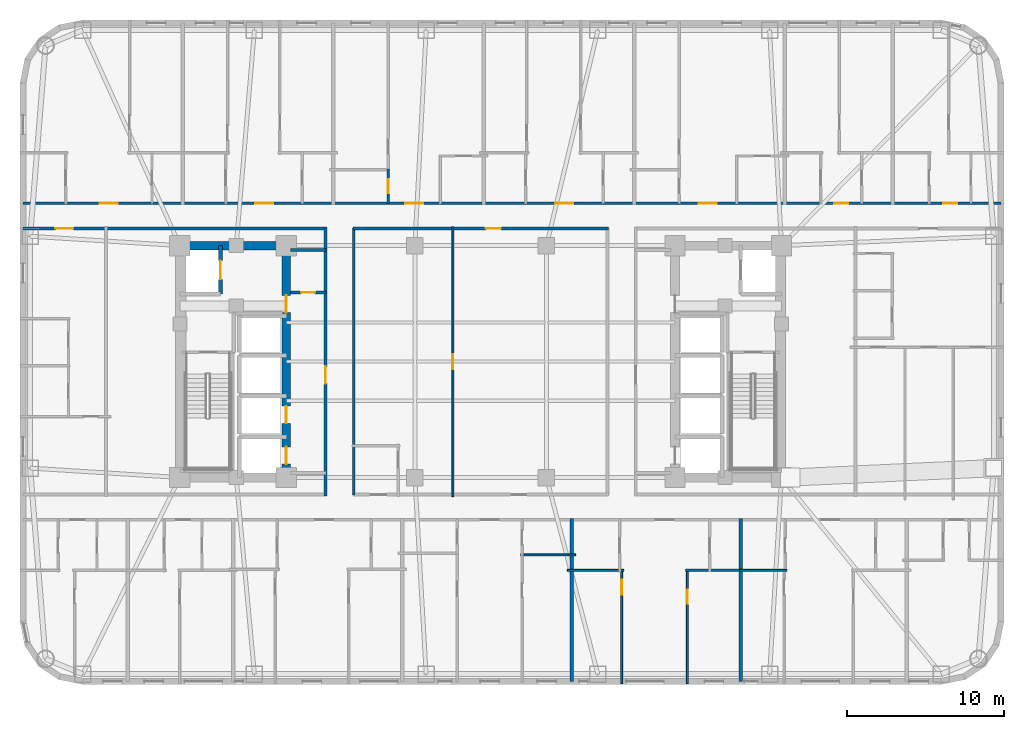
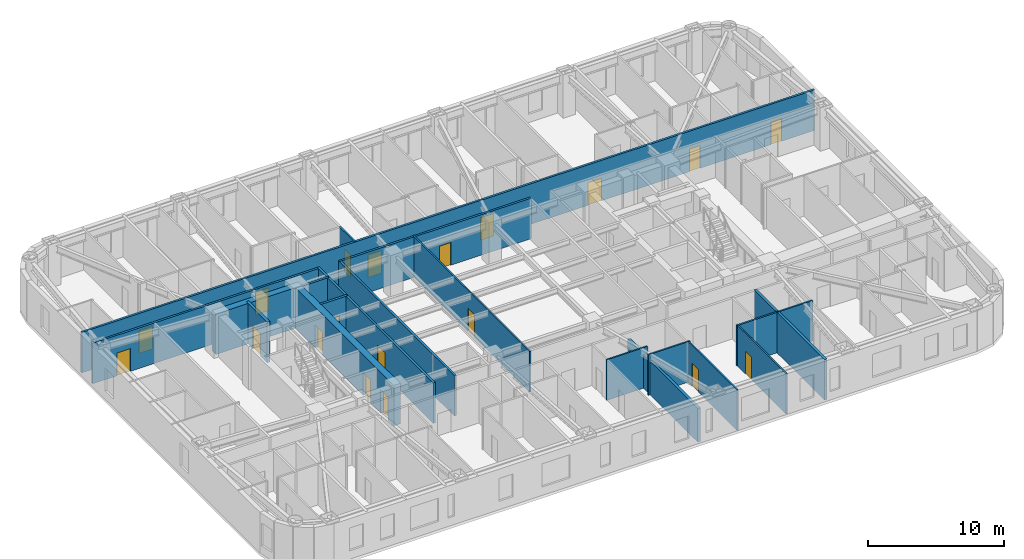
# One storey, part 5 of 11: 20 walls, 19 doors, 19 openings.
"""IFC4 building model written with IfcOpenShell, lengths in metres."""

import ifcopenshell
import ifcopenshell.guid

model = None  # the IFC model being written
_history = None  # IfcOwnerHistory: only IFC2X3 demands one
_inside = {}  # id of a spatial element -> (the spatial element, [elements in it])
_under = {}  # id of a project, library or spatial element -> (it, [spatial elements below it])
_declared = {}  # id of a project -> (the project, [libraries it declares])
_typed = {}  # id of a type object -> (the type object, [elements of that type])
_made_of = {}  # id of a material, layer set ... -> (it, [elements and type objects made of it])


def new_model(schema):
    """Start an empty IFC model of exactly this schema.

    Asked for "IFC4X3", IfcOpenShell would pick the latest addendum, in which some entities
    have other attributes; the version numbers below select the first issue.
    IFC2X3 requires an IfcOwnerHistory on every rooted entity: one is made here for all.
    """
    global model, _history
    if schema == "IFC4X3":
        model = ifcopenshell.file(schema_version=(4, 3, 0, 0))
    else:
        model = ifcopenshell.file(schema=schema)
    _inside.clear()
    _under.clear()
    _declared.clear()
    _typed.clear()
    _made_of.clear()
    _history = None
    if model.schema == "IFC2X3":
        org = make("IfcOrganization", Name="unknown")
        user = make(
            "IfcPersonAndOrganization",
            ThePerson=make("IfcPerson", FamilyName="unknown"),
            TheOrganization=org,
        )
        app = make(
            "IfcApplication",
            ApplicationDeveloper=org,
            Version="unknown",
            ApplicationFullName="unknown",
            ApplicationIdentifier="unknown",
        )
        _history = make(
            "IfcOwnerHistory",
            OwningUser=user,
            OwningApplication=app,
            ChangeAction="ADDED",
            CreationDate=0,
        )
    return model


def make(cls, **values):
    """One entity of the class cls with the attributes given. An attribute that is None is left unset."""
    return model.create_entity(
        cls, **{name: value for name, value in values.items() if value is not None}
    )


def rooted(cls, **values):
    """An entity with a GlobalId (a new one), such as an element, a storey or a relation."""
    return make(cls, GlobalId=ifcopenshell.guid.new(), OwnerHistory=_history, **values)


def si_unit(unit_type, name, prefix=None):
    """IfcSIUnit, for example si_unit("LENGTHUNIT", "METRE", prefix="MILLI")."""
    return make("IfcSIUnit", UnitType=unit_type, Prefix=prefix, Name=name)


def assignment(units):
    """IfcUnitAssignment: the units of a project."""
    return None if units is None else make("IfcUnitAssignment", Units=units)


def point(xyz):
    """IfcCartesianPoint."""
    return None if xyz is None else make("IfcCartesianPoint", Coordinates=xyz)


def direction(xyz):
    """IfcDirection."""
    return None if xyz is None else make("IfcDirection", DirectionRatios=xyz)


def frame(location, z_axis=None, x_axis=None):
    """IfcAxis2Placement3D, a coordinate frame: its origin and axes. An axis left out is left unset."""
    return make(
        "IfcAxis2Placement3D",
        Location=point(location),
        Axis=direction(z_axis),
        RefDirection=direction(x_axis),
    )


def frame_2d(location, x_axis=None):
    """IfcAxis2Placement2D, a coordinate frame in the plane: its origin and x axis."""
    return make(
        "IfcAxis2Placement2D", Location=point(location), RefDirection=direction(x_axis)
    )


def origin():
    """The frame at (0, 0, 0) with its axes left unset."""
    return frame((0.0, 0.0, 0.0))


def place(relative_to, where):
    """IfcLocalPlacement: puts the frame where relative to a parent placement (None: the world)."""
    return make(
        "IfcLocalPlacement", PlacementRelTo=relative_to, RelativePlacement=where
    )


def context(
    kind, dimensions, precision=None, world=None, true_north=None, identifier=None
):
    """IfcGeometricRepresentationContext, for example the 3D "Model" context."""
    return make(
        "IfcGeometricRepresentationContext",
        ContextIdentifier=identifier,
        ContextType=kind,
        CoordinateSpaceDimension=dimensions,
        Precision=precision,
        WorldCoordinateSystem=world,
        TrueNorth=true_north,
    )


def subcontext(parent, identifier, kind, view, scale=None):
    """IfcGeometricRepresentationSubContext, for example "Body" below "Model"."""
    return make(
        "IfcGeometricRepresentationSubContext",
        ContextIdentifier=identifier,
        ContextType=kind,
        ParentContext=parent,
        TargetScale=scale,
        TargetView=view,
    )


def project(units=None, contexts=None):
    """IfcProject with its units and contexts."""
    return rooted(
        "IfcProject",
        Name="project",
        RepresentationContexts=contexts,
        UnitsInContext=assignment(units),
    )


def spatial(cls, under=None, at=None, **own):
    """A site, building, storey or space (cls), placed at a placement, below another one or the project."""
    s = rooted(cls, ObjectPlacement=at, **own)
    if under is not None:
        _under.setdefault(under.id(), (under, []))[1].append(s)
    return s


def profile(cls, at=None, kind="AREA", **sizes):
    """A parametric profile (cls). Its sizes go by their IFC names, for example OverallWidth=200.0."""
    return make(cls, ProfileType=kind, Position=at, **sizes)


def rectangle(**sizes):
    """IfcRectangleProfileDef."""
    return profile("IfcRectangleProfileDef", **sizes)


def extrude(swept, where, along, depth):
    """IfcExtrudedAreaSolid: the profile swept, set in the frame where, extruded along a direction by depth."""
    return make(
        "IfcExtrudedAreaSolid",
        SweptArea=swept,
        Position=where,
        ExtrudedDirection=direction(along),
        Depth=depth,
    )


def shape(context_of_items, identifier, shape_type, items):
    """IfcShapeRepresentation: the items that make up one representation, for example the "Body"."""
    return make(
        "IfcShapeRepresentation",
        ContextOfItems=context_of_items,
        RepresentationIdentifier=identifier,
        RepresentationType=shape_type,
        Items=items,
    )


def material(Name=None, Category=None):
    """IfcMaterial."""
    return make("IfcMaterial", Name=Name, Category=Category)


def layer(
    of_material, thickness, ventilated=None, Name=None, Category=None, Priority=None
):
    """IfcMaterialLayer: one layer of a wall or slab, of a material (None: an air gap)."""
    return make(
        "IfcMaterialLayer",
        Material=of_material,
        LayerThickness=thickness,
        IsVentilated=ventilated,
        Name=Name,
        Category=Category,
        Priority=Priority,
    )


def layer_set(layers, Name=None):
    """IfcMaterialLayerSet."""
    return make("IfcMaterialLayerSet", MaterialLayers=layers, LayerSetName=Name)


def made_of(thing, what):
    """Note that an element or type object is made of a material, layer set ...; save() writes the relation."""
    if what is not None:
        _made_of.setdefault(what.id(), (what, []))[1].append(thing)
    return thing


def type_object(cls, material=None, **own):
    """A type object (cls), such as IfcWallType, which elements share."""
    return made_of(rooted(cls, **own), material)


def element(
    cls,
    number,
    at=None,
    inside=None,
    cuts=None,
    type_object=None,
    material=None,
    context=None,
    identifier="Body",
    shape_type=None,
    held_by="IfcProductDefinitionShape",
    body=None,
    shapes=None,
    **own,
):
    """One element of the class cls, such as IfcWall. Its Tag is "e" and its number.

    at: its placement. inside: the storey or other place that contains it. cuts: it is an
    opening in that element (IfcRelVoidsElement). A single representation is given by context,
    identifier, shape_type and body (its items); several are given by shapes. held_by: the class
    of the entity that holds the representations. save() writes the other relations.
    """
    e = rooted(cls, Tag="e%d" % number, ObjectPlacement=at, **own)
    if body is not None:
        shapes = [shape(context, identifier, shape_type, body)]
    if shapes is not None:
        e.Representation = make(held_by, Representations=shapes)
    if inside is not None:
        _inside.setdefault(inside.id(), (inside, []))[1].append(e)
    if cuts is not None:
        rooted(
            "IfcRelVoidsElement", RelatingBuildingElement=cuts, RelatedOpeningElement=e
        )
    if type_object is not None:
        _typed.setdefault(type_object.id(), (type_object, []))[1].append(e)
    return made_of(e, material)


def fill(opening, filler):
    """IfcRelFillsElement: the door or window that sits in an opening."""
    return rooted(
        "IfcRelFillsElement",
        RelatingOpeningElement=opening,
        RelatedBuildingElement=filler,
    )


def aggregate(whole, parts):
    """IfcRelAggregates: a whole, such as a stair, and the parts it consists of."""
    return rooted("IfcRelAggregates", RelatingObject=whole, RelatedObjects=parts)


def save(model, path):
    """Write the relations noted so far, then the file.

    IfcRelAggregates (storeys below a building ...), IfcRelContainedInSpatialStructure (elements
    in a storey), IfcRelDefinesByType, IfcRelAssociatesMaterial and IfcRelDeclares: one each for
    every whole, place, type object, material and project.
    """
    for whole, parts in _under.values():
        aggregate(whole, parts)
    for where, things in _inside.values():
        rooted(
            "IfcRelContainedInSpatialStructure",
            RelatedElements=things,
            RelatingStructure=where,
        )
    for kind, things in _typed.values():
        rooted("IfcRelDefinesByType", RelatedObjects=things, RelatingType=kind)
    for what, things in _made_of.values():
        rooted("IfcRelAssociatesMaterial", RelatedObjects=things, RelatingMaterial=what)
    for by, libraries in _declared.values():
        rooted("IfcRelDeclares", RelatingContext=by, RelatedDefinitions=libraries)
    model.write(path)


model = new_model("IFC4")

# Units and contexts
model_context = context("Model", 3, precision=1e-05, world=origin(), true_north=direction((0.0, 1.0)))
body_context = subcontext(model_context, "Body", "Model", "MODEL_VIEW")
ifc_project = project(units=[si_unit("LENGTHUNIT", "METRE"), si_unit("AREAUNIT", "SQUARE_METRE"), si_unit("VOLUMEUNIT", "CUBIC_METRE"), si_unit("PLANEANGLEUNIT", "RADIAN"), si_unit("MASSUNIT", "GRAM", prefix="KILO")], contexts=[model_context])

# Site, building, storey
site_placement = place(None, origin())
site = spatial("IfcSite", under=ifc_project, at=site_placement, CompositionType="ELEMENT")
building_placement = place(site_placement, origin())
building = spatial("IfcBuilding", under=site, at=building_placement, Name="Voryun Gate Residences", CompositionType="ELEMENT")
storey_placement = place(building_placement, frame((0.0, 0.0, 105.300048828125)))
storey = spatial("IfcBuildingStorey", under=building, at=storey_placement, Name="L25", CompositionType="ELEMENT", Elevation=105.300048828125)

# Wall
ifc_material_1 = material(Name="Concrete C60/75", Category="concrete")
ifc_layer_1 = layer(ifc_material_1, 0.550048828125, Name="CW_CORE_550")
ifc_layer_set_1 = layer_set([ifc_layer_1], Name="Concrete C60/75")
wall_type_1 = type_object("IfcWallType", Name="CW_CORE_550", PredefinedType="SHEAR", material=ifc_layer_set_1)
wall_1_placement = place(storey_placement, frame((-19.47509765625, 7.39990234375, 0.0), z_axis=(0.0, 0.0, 1.0), x_axis=(1.0, 0.0, 0.0)))
element("IfcWall", 1, at=wall_1_placement, inside=storey, type_object=wall_type_1, Name="L25 Core shear wall CW-L25-WN", PredefinedType="SHEAR", context=body_context, shape_type="SweptSolid", body=[
    extrude(rectangle(XDim=7.35009765625, YDim=0.550048828125, at=frame_2d((3.675048828125, 0.0))), origin(), (0.0, 0.0, 1.0), 3.64990234375),
])

# Wall, openings, doors
wall_2_placement = place(storey_placement, frame((-12.39990234375, -7.39990234375, 0.0), z_axis=(0.0, 0.0, 1.0), x_axis=(0.0, 1.0, 0.0)))
wall_2 = element("IfcWall", 2, at=wall_2_placement, inside=storey, type_object=wall_type_1, Name="L25 Core shear wall CW-L25-WE", PredefinedType="SHEAR", context=body_context, shape_type="SweptSolid", body=[
    extrude(rectangle(XDim=14.7998046875, YDim=0.550048828125, at=frame_2d((7.39990234375, 0.0))), origin(), (0.0, 0.0, 1.0), 3.64990234375),
])
opening_1_placement = place(wall_2_placement, frame((0.85009765625, 0.0, 0.0)))
opening_1 = element("IfcOpeningElement", 3, at=opening_1_placement, cuts=wall_2, Name="Opening LD2", PredefinedType="OPENING", context=body_context, shape_type="SweptSolid", body=[
    extrude(rectangle(XDim=1.10009765625, YDim=2.050048828125, at=frame_2d((0.550048828125, 1.02490234375))), frame((0.0, 0.284912109375, 0.0), z_axis=(0.0, -1.0, 0.0), x_axis=(1.0, 0.0, 0.0)), (0.0, 0.0, 1.0), 0.570068359375),
])
opening_2_placement = place(wall_2_placement, frame((3.449951171875, 0.0, 0.0)))
opening_2 = element("IfcOpeningElement", 4, at=opening_2_placement, cuts=wall_2, Name="Opening LD2", PredefinedType="OPENING", context=body_context, shape_type="SweptSolid", body=[
    extrude(rectangle(XDim=1.10009765625, YDim=2.050048828125, at=frame_2d((0.550048828125, 1.02490234375))), frame((0.0, 0.284912109375, 0.0), z_axis=(0.0, -1.0, 0.0), x_axis=(1.0, 0.0, 0.0)), (0.0, 0.0, 1.0), 0.570068359375),
])
opening_3_placement = place(wall_2_placement, frame((10.530029296875, 0.0, 0.0)))
opening_3 = element("IfcOpeningElement", 5, at=opening_3_placement, cuts=wall_2, Name="Opening D-FD60-2", PredefinedType="OPENING", context=body_context, shape_type="SweptSolid", body=[
    extrude(rectangle(XDim=1.10009765625, YDim=2.050048828125, at=frame_2d((0.550048828125, 1.02490234375))), frame((0.0, 0.284912109375, 0.0), z_axis=(0.0, -1.0, 0.0), x_axis=(1.0, 0.0, 0.0)), (0.0, 0.0, 1.0), 0.570068359375),
])
ifc_material_2 = material(Name="Painted steel fire door", Category="steel")
door_type_1 = type_object("IfcDoorType", Name="DR_FD60_FFLOB_1100", OperationType="NOTDEFINED", PredefinedType="DOOR", material=ifc_material_2)
door_1_placement = place(opening_3_placement, origin())
door_1 = element("IfcDoor", 6, at=door_1_placement, inside=storey, type_object=door_type_1, Name="Door DR-L25-CLOB-W", OperationType="SINGLE_SWING_LEFT", OverallHeight=2.050048828125, OverallWidth=1.10009765625, PredefinedType="DOOR", context=body_context, shape_type="SweptSolid", body=[
    extrude(rectangle(XDim=1.10009765625, YDim=2.050048828125, at=frame_2d((0.550048828125, 1.02490234375))), frame((0.0, 0.02490234375, 0.0), z_axis=(0.0, -1.0, 0.0), x_axis=(1.0, 0.0, 0.0)), (0.0, 0.0, 1.0), 0.050048828125),
])
fill(opening_3, door_1)
ifc_material_3 = material(Name="Anodised aluminium", Category="aluminium")
door_type_2 = type_object("IfcDoorType", Name="DR_LD_PASS_1100", OperationType="NOTDEFINED", PredefinedType="DOOR", material=ifc_material_3)
door_2_placement = place(opening_1_placement, origin())
door_2 = element("IfcDoor", 7, at=door_2_placement, inside=storey, type_object=door_type_2, Name="Lift EL-P1 sliding landing door L25", OperationType="SLIDING_TO_LEFT", OverallHeight=2.050048828125, OverallWidth=1.10009765625, PredefinedType="DOOR", context=body_context, shape_type="SweptSolid", body=[
    extrude(rectangle(XDim=1.10009765625, YDim=2.050048828125, at=frame_2d((0.550048828125, 1.02490234375))), frame((0.0, 0.02490234375, 0.0), z_axis=(0.0, -1.0, 0.0), x_axis=(1.0, 0.0, 0.0)), (0.0, 0.0, 1.0), 0.050048828125),
])
fill(opening_1, door_2)
door_3_placement = place(opening_2_placement, origin())
door_3 = element("IfcDoor", 8, at=door_3_placement, inside=storey, type_object=door_type_2, Name="Lift EL-P2 sliding landing door L25", OperationType="SLIDING_TO_LEFT", OverallHeight=2.050048828125, OverallWidth=1.10009765625, PredefinedType="DOOR", context=body_context, shape_type="SweptSolid", body=[
    extrude(rectangle(XDim=1.10009765625, YDim=2.050048828125, at=frame_2d((0.550048828125, 1.02490234375))), frame((0.0, 0.02490234375, 0.0), z_axis=(0.0, -1.0, 0.0), x_axis=(1.0, 0.0, 0.0)), (0.0, 0.0, 1.0), 0.050048828125),
])
fill(opening_2, door_3)

# Wall
ifc_material_4 = material(Name="Gypsum acoustic fireboard")
ifc_layer_2 = layer(ifc_material_4, 0.179931640625, Name="W_CORR_RATED_180")
ifc_layer_set_2 = layer_set([ifc_layer_2], Name="Gypsum acoustic fireboard")
wall_type_2 = type_object("IfcWallType", Name="W_CORR_RATED_180", PredefinedType="PARTITIONING", material=ifc_layer_set_2)
wall_3_placement = place(storey_placement, frame((-12.14990234375, 7.1201171875, 0.0), z_axis=(0.0, 0.0, 1.0), x_axis=(1.0, 0.0, 0.0)))
element("IfcWall", 9, at=wall_3_placement, inside=storey, type_object=wall_type_2, Name="Partition wall WP-L25-PLBN-W", PredefinedType="PARTITIONING", context=body_context, shape_type="SweptSolid", body=[
    extrude(rectangle(XDim=2.27001953125, YDim=0.179931640625, at=frame_2d((1.135009765625, 0.0))), origin(), (0.0, 0.0, 1.0), 3.64990234375),
])

# Wall, opening, door
wall_4_placement = place(storey_placement, frame((-9.89990234375, -8.580078125, 0.0), z_axis=(0.0, 0.0, 1.0), x_axis=(0.0, 1.0, 0.0)))
wall_4 = element("IfcWall", 10, at=wall_4_placement, inside=storey, type_object=wall_type_2, Name="Partition wall WP-L25-PLBW-FULL", PredefinedType="PARTITIONING", context=body_context, shape_type="SweptSolid", body=[
    extrude(rectangle(XDim=17.16015625, YDim=0.179931640625, at=frame_2d((8.580078125, 0.0))), origin(), (0.0, 0.0, 1.0), 3.64990234375),
])
opening_4_placement = place(wall_4_placement, frame((7.172119140625, 0.0, 0.0)))
opening_4 = element("IfcOpeningElement", 11, at=opening_4_placement, cuts=wall_4, Name="Opening D-FD60-2", PredefinedType="OPENING", context=body_context, shape_type="SweptSolid", body=[
    extrude(rectangle(XDim=1.10009765625, YDim=2.050048828125, at=frame_2d((0.550048828125, 1.02490234375))), frame((0.0, 0.099853515625, 0.0), z_axis=(0.0, -1.0, 0.0), x_axis=(1.0, 0.0, 0.0)), (0.0, 0.0, 1.0), 0.199951171875),
])
door_4_placement = place(opening_4_placement, origin())
door_4 = element("IfcDoor", 12, at=door_4_placement, inside=storey, type_object=door_type_1, Name="Door DR-L25-PLBW-COR", OperationType="SINGLE_SWING_LEFT", OverallHeight=2.050048828125, OverallWidth=1.10009765625, PredefinedType="DOOR", context=body_context, shape_type="SweptSolid", body=[
    extrude(rectangle(XDim=1.10009765625, YDim=2.050048828125, at=frame_2d((0.550048828125, 1.02490234375))), frame((0.0, 0.02490234375, 0.0), z_axis=(0.0, -1.0, 0.0), x_axis=(1.0, 0.0, 0.0)), (0.0, 0.0, 1.0), 0.050048828125),
])
fill(opening_4, door_4)

wall_5_placement = place(storey_placement, frame((-29.2099609375, 8.489990234375, 0.0), z_axis=(0.0, 0.0, 1.0), x_axis=(1.0, 0.0, 0.0)))
wall_5 = element("IfcWall", 13, at=wall_5_placement, inside=storey, type_object=wall_type_2, Name="Partition wall WP-L25-CWING-WN", PredefinedType="PARTITIONING", context=body_context, shape_type="SweptSolid", body=[
    extrude(rectangle(XDim=19.330078125, YDim=0.179931640625, at=frame_2d((9.6650390625, 0.0))), origin(), (0.0, 0.0, 1.0), 3.64990234375),
])
opening_5_placement = place(wall_5_placement, frame((2.0654296875, 0.0, 0.0)))
opening_5 = element("IfcOpeningElement", 14, at=opening_5_placement, cuts=wall_5, Name="Opening D-UNIT-1", PredefinedType="OPENING", context=body_context, shape_type="SweptSolid", body=[
    extrude(rectangle(XDim=1.14990234375, YDim=2.050048828125, at=frame_2d((0.574951171875, 1.02490234375))), frame((0.0, 0.099853515625, 0.0), z_axis=(0.0, -1.0, 0.0), x_axis=(1.0, 0.0, 0.0)), (0.0, 0.0, 1.0), 0.199951171875),
])
ifc_material_5 = material(Name="Armoured timber-clad fire door", Category="wood")
door_type_3 = type_object("IfcDoorType", Name="DR_UNIT_ENTRY_1150", OperationType="NOTDEFINED", PredefinedType="DOOR", material=ifc_material_5)
door_5_placement = place(opening_5_placement, origin())
door_5 = element("IfcDoor", 15, at=door_5_placement, inside=storey, type_object=door_type_3, Name="Door DR-L25-WE1N", OperationType="SINGLE_SWING_LEFT", OverallHeight=2.050048828125, OverallWidth=1.14990234375, PredefinedType="DOOR", context=body_context, shape_type="SweptSolid", body=[
    extrude(rectangle(XDim=1.14990234375, YDim=2.050048828125, at=frame_2d((0.574951171875, 1.02490234375))), frame((0.0, 0.02490234375, 0.0), z_axis=(0.0, -1.0, 0.0), x_axis=(1.0, 0.0, 0.0)), (0.0, 0.0, 1.0), 0.050048828125),
])
fill(opening_5, door_5)

wall_6_placement = place(storey_placement, frame((-8.14990234375, 8.489990234375, 0.0), z_axis=(0.0, 0.0, 1.0), x_axis=(1.0, 0.0, 0.0)))
wall_6 = element("IfcWall", 16, at=wall_6_placement, inside=storey, type_object=wall_type_2, Name="Partition wall WP-L25-Z1N", PredefinedType="PARTITIONING", context=body_context, shape_type="SweptSolid", body=[
    extrude(rectangle(XDim=16.2998046875, YDim=0.179931640625, at=frame_2d((8.14990234375, 0.0))), origin(), (0.0, 0.0, 1.0), 3.64990234375),
])
opening_6_placement = place(wall_6_placement, frame((8.489990234375, 0.0, 0.0)))
opening_6 = element("IfcOpeningElement", 17, at=opening_6_placement, cuts=wall_6, Name="Opening D-INT-1", PredefinedType="OPENING", context=body_context, shape_type="SweptSolid", body=[
    extrude(rectangle(XDim=0.949951171875, YDim=2.050048828125, at=frame_2d((0.47509765625, 1.02490234375))), frame((0.0, 0.099853515625, 0.0), z_axis=(0.0, -1.0, 0.0), x_axis=(1.0, 0.0, 0.0)), (0.0, 0.0, 1.0), 0.199951171875),
])
ifc_material_6 = material(Name="Architectural oak veneer")
door_type_4 = type_object("IfcDoorType", Name="DR_INT_ROOM_950", OperationType="NOTDEFINED", PredefinedType="DOOR", material=ifc_material_6)
door_6_placement = place(opening_6_placement, origin())
door_6 = element("IfcDoor", 18, at=door_6_placement, inside=storey, type_object=door_type_4, Name="Door DR-L25-CMIDZ1N", OperationType="SINGLE_SWING_LEFT", OverallHeight=2.050048828125, OverallWidth=0.949951171875, PredefinedType="DOOR", context=body_context, shape_type="SweptSolid", body=[
    extrude(rectangle(XDim=0.949951171875, YDim=2.050048828125, at=frame_2d((0.47509765625, 1.02490234375))), frame((0.0, 0.02490234375, 0.0), z_axis=(0.0, -1.0, 0.0), x_axis=(1.0, 0.0, 0.0)), (0.0, 0.0, 1.0), 0.050048828125),
])
fill(opening_6, door_6)

# Wall
wall_7_placement = place(storey_placement, frame((-8.10009765625, -8.530029296875, 0.0), z_axis=(0.0, 0.0, 1.0), x_axis=(0.0, 1.0, 0.0)))
element("IfcWall", 19, at=wall_7_placement, inside=storey, type_object=wall_type_2, Name="Partition wall WP-L25-Z1W", PredefinedType="PARTITIONING", context=body_context, shape_type="SweptSolid", body=[
    extrude(rectangle(XDim=17.06005859375, YDim=0.179931640625, at=frame_2d((8.530029296875, 0.0))), origin(), (0.0, 0.0, 1.0), 3.64990234375),
])

# Wall, openings, doors
wall_8_placement = place(storey_placement, frame((-29.2099609375, 10.10009765625, 0.0), z_axis=(0.0, 0.0, 1.0), x_axis=(1.0, 0.0, 0.0)))
wall_8 = element("IfcWall", 20, at=wall_8_placement, inside=storey, type_object=wall_type_2, Name="Partition wall WP-L25-NCORR", PredefinedType="PARTITIONING", context=body_context, shape_type="SweptSolid", body=[
    extrude(rectangle(XDim=62.419921875, YDim=0.179931640625, at=frame_2d((31.2099609375, 0.0))), origin(), (0.0, 0.0, 1.0), 3.64990234375),
])
opening_7_placement = place(wall_8_placement, frame((4.905517578125, 0.0, 0.0)))
opening_7 = element("IfcOpeningElement", 21, at=opening_7_placement, cuts=wall_8, Name="Opening D-UNIT-1", PredefinedType="OPENING", context=body_context, shape_type="SweptSolid", body=[
    extrude(rectangle(XDim=1.14990234375, YDim=2.050048828125, at=frame_2d((0.574951171875, 1.02490234375))), frame((0.0, 0.099853515625, 0.0), z_axis=(0.0, -1.0, 0.0), x_axis=(1.0, 0.0, 0.0)), (0.0, 0.0, 1.0), 0.199951171875),
])
opening_8_placement = place(wall_8_placement, frame((14.8115234375, 0.0, 0.0)))
opening_8 = element("IfcOpeningElement", 22, at=opening_8_placement, cuts=wall_8, Name="Opening D-UNIT-1", PredefinedType="OPENING", context=body_context, shape_type="SweptSolid", body=[
    extrude(rectangle(XDim=1.14990234375, YDim=2.050048828125, at=frame_2d((0.574951171875, 1.02490234375))), frame((0.0, 0.099853515625, 0.0), z_axis=(0.0, -1.0, 0.0), x_axis=(1.0, 0.0, 0.0)), (0.0, 0.0, 1.0), 0.199951171875),
])
opening_9_placement = place(wall_8_placement, frame((24.405517578125, 0.0, 0.0)))
opening_9 = element("IfcOpeningElement", 23, at=opening_9_placement, cuts=wall_8, Name="Opening D-UNIT-1", PredefinedType="OPENING", context=body_context, shape_type="SweptSolid", body=[
    extrude(rectangle(XDim=1.14990234375, YDim=2.050048828125, at=frame_2d((0.574951171875, 1.02490234375))), frame((0.0, 0.099853515625, 0.0), z_axis=(0.0, -1.0, 0.0), x_axis=(1.0, 0.0, 0.0)), (0.0, 0.0, 1.0), 0.199951171875),
])
opening_10_placement = place(wall_8_placement, frame((33.980712890625, 0.0, 0.0)))
opening_10 = element("IfcOpeningElement", 24, at=opening_10_placement, cuts=wall_8, Name="Opening D-UNIT-1", PredefinedType="OPENING", context=body_context, shape_type="SweptSolid", body=[
    extrude(rectangle(XDim=1.14990234375, YDim=2.050048828125, at=frame_2d((0.574951171875, 1.02490234375))), frame((0.0, 0.099853515625, 0.0), z_axis=(0.0, -1.0, 0.0), x_axis=(1.0, 0.0, 0.0)), (0.0, 0.0, 1.0), 0.199951171875),
])
opening_11_placement = place(wall_8_placement, frame((43.1376953125, 0.0, 0.0)))
opening_11 = element("IfcOpeningElement", 25, at=opening_11_placement, cuts=wall_8, Name="Opening D-UNIT-1", PredefinedType="OPENING", context=body_context, shape_type="SweptSolid", body=[
    extrude(rectangle(XDim=1.14990234375, YDim=2.050048828125, at=frame_2d((0.574951171875, 1.02490234375))), frame((0.0, 0.099853515625, 0.0), z_axis=(0.0, -1.0, 0.0), x_axis=(1.0, 0.0, 0.0)), (0.0, 0.0, 1.0), 0.199951171875),
])
opening_12_placement = place(wall_8_placement, frame((51.77685546875, 0.0, 0.0)))
opening_12 = element("IfcOpeningElement", 26, at=opening_12_placement, cuts=wall_8, Name="Opening D-INT-2", PredefinedType="OPENING", context=body_context, shape_type="SweptSolid", body=[
    extrude(rectangle(XDim=0.89990234375, YDim=2.050048828125, at=frame_2d((0.449951171875, 1.02490234375))), frame((0.0, 0.099853515625, 0.0), z_axis=(0.0, -1.0, 0.0), x_axis=(1.0, 0.0, 0.0)), (0.0, 0.0, 1.0), 0.199951171875),
])
opening_13_placement = place(wall_8_placement, frame((58.718017578125, 0.0, 0.0)))
opening_13 = element("IfcOpeningElement", 27, at=opening_13_placement, cuts=wall_8, Name="Opening D-INT-2", PredefinedType="OPENING", context=body_context, shape_type="SweptSolid", body=[
    extrude(rectangle(XDim=0.89990234375, YDim=2.050048828125, at=frame_2d((0.449951171875, 1.02490234375))), frame((0.0, 0.099853515625, 0.0), z_axis=(0.0, -1.0, 0.0), x_axis=(1.0, 0.0, 0.0)), (0.0, 0.0, 1.0), 0.199951171875),
])
ifc_material_7 = material(Name="Architectural oak veneer")
door_type_5 = type_object("IfcDoorType", Name="DR_INT_BATH_900", OperationType="NOTDEFINED", PredefinedType="DOOR", material=ifc_material_7)
door_7_placement = place(opening_12_placement, origin())
door_7 = element("IfcDoor", 28, at=door_7_placement, inside=storey, type_object=door_type_5, Name="Door DR-L25-NENT-6", OperationType="SINGLE_SWING_RIGHT", OverallHeight=2.050048828125, OverallWidth=0.89990234375, PredefinedType="DOOR", context=body_context, shape_type="SweptSolid", body=[
    extrude(rectangle(XDim=0.89990234375, YDim=2.050048828125, at=frame_2d((0.449951171875, 1.02490234375))), frame((0.0, 0.02490234375, 0.0), z_axis=(0.0, -1.0, 0.0), x_axis=(1.0, 0.0, 0.0)), (0.0, 0.0, 1.0), 0.050048828125),
])
fill(opening_12, door_7)
door_8_placement = place(opening_13_placement, origin())
door_8 = element("IfcDoor", 29, at=door_8_placement, inside=storey, type_object=door_type_5, Name="Door DR-L25-NENT-7", OperationType="SINGLE_SWING_LEFT", OverallHeight=2.050048828125, OverallWidth=0.89990234375, PredefinedType="DOOR", context=body_context, shape_type="SweptSolid", body=[
    extrude(rectangle(XDim=0.89990234375, YDim=2.050048828125, at=frame_2d((0.449951171875, 1.02490234375))), frame((0.0, 0.02490234375, 0.0), z_axis=(0.0, -1.0, 0.0), x_axis=(1.0, 0.0, 0.0)), (0.0, 0.0, 1.0), 0.050048828125),
])
fill(opening_13, door_8)
door_9_placement = place(opening_7_placement, origin())
door_9 = element("IfcDoor", 30, at=door_9_placement, inside=storey, type_object=door_type_3, Name="Door DR-L25-NENT-1", OperationType="SINGLE_SWING_LEFT", OverallHeight=2.050048828125, OverallWidth=1.14990234375, PredefinedType="DOOR", context=body_context, shape_type="SweptSolid", body=[
    extrude(rectangle(XDim=1.14990234375, YDim=2.050048828125, at=frame_2d((0.574951171875, 1.02490234375))), frame((0.0, 0.02490234375, 0.0), z_axis=(0.0, -1.0, 0.0), x_axis=(1.0, 0.0, 0.0)), (0.0, 0.0, 1.0), 0.050048828125),
])
fill(opening_7, door_9)
door_10_placement = place(opening_8_placement, origin())
door_10 = element("IfcDoor", 31, at=door_10_placement, inside=storey, type_object=door_type_3, Name="Door DR-L25-NENT-2", OperationType="SINGLE_SWING_RIGHT", OverallHeight=2.050048828125, OverallWidth=1.14990234375, PredefinedType="DOOR", context=body_context, shape_type="SweptSolid", body=[
    extrude(rectangle(XDim=1.14990234375, YDim=2.050048828125, at=frame_2d((0.574951171875, 1.02490234375))), frame((0.0, 0.02490234375, 0.0), z_axis=(0.0, -1.0, 0.0), x_axis=(1.0, 0.0, 0.0)), (0.0, 0.0, 1.0), 0.050048828125),
])
fill(opening_8, door_10)
door_11_placement = place(opening_9_placement, origin())
door_11 = element("IfcDoor", 32, at=door_11_placement, inside=storey, type_object=door_type_3, Name="Door DR-L25-NENT-3", OperationType="SINGLE_SWING_LEFT", OverallHeight=2.050048828125, OverallWidth=1.14990234375, PredefinedType="DOOR", context=body_context, shape_type="SweptSolid", body=[
    extrude(rectangle(XDim=1.14990234375, YDim=2.050048828125, at=frame_2d((0.574951171875, 1.02490234375))), frame((0.0, 0.02490234375, 0.0), z_axis=(0.0, -1.0, 0.0), x_axis=(1.0, 0.0, 0.0)), (0.0, 0.0, 1.0), 0.050048828125),
])
fill(opening_9, door_11)
door_12_placement = place(opening_10_placement, origin())
door_12 = element("IfcDoor", 33, at=door_12_placement, inside=storey, type_object=door_type_3, Name="Door DR-L25-NENT-4", OperationType="SINGLE_SWING_RIGHT", OverallHeight=2.050048828125, OverallWidth=1.14990234375, PredefinedType="DOOR", context=body_context, shape_type="SweptSolid", body=[
    extrude(rectangle(XDim=1.14990234375, YDim=2.050048828125, at=frame_2d((0.574951171875, 1.02490234375))), frame((0.0, 0.02490234375, 0.0), z_axis=(0.0, -1.0, 0.0), x_axis=(1.0, 0.0, 0.0)), (0.0, 0.0, 1.0), 0.050048828125),
])
fill(opening_10, door_12)
door_13_placement = place(opening_11_placement, origin())
door_13 = element("IfcDoor", 34, at=door_13_placement, inside=storey, type_object=door_type_3, Name="Door DR-L25-NENT-5", OperationType="SINGLE_SWING_LEFT", OverallHeight=2.050048828125, OverallWidth=1.14990234375, PredefinedType="DOOR", context=body_context, shape_type="SweptSolid", body=[
    extrude(rectangle(XDim=1.14990234375, YDim=2.050048828125, at=frame_2d((0.574951171875, 1.02490234375))), frame((0.0, 0.02490234375, 0.0), z_axis=(0.0, -1.0, 0.0), x_axis=(1.0, 0.0, 0.0)), (0.0, 0.0, 1.0), 0.050048828125),
])
fill(opening_11, door_13)

# Wall, opening, door
ifc_material_8 = material(Name="Concrete C40/50", Category="concrete")
ifc_layer_3 = layer(ifc_material_8, 0.199951171875, Name="W_FF_LOBBY_200")
ifc_layer_set_3 = layer_set([ifc_layer_3], Name="Concrete C40/50")
wall_type_3 = type_object("IfcWallType", Name="W_FF_LOBBY_200", PredefinedType="PARTITIONING", material=ifc_layer_set_3)
wall_9_placement = place(storey_placement, frame((-12.14990234375, 4.409912109375, 0.0), z_axis=(0.0, 0.0, 1.0), x_axis=(1.0, 0.0, 0.0)))
wall_9 = element("IfcWall", 35, at=wall_9_placement, inside=storey, type_object=wall_type_3, Name="Partition wall WP-L25-CSFLKS-W", PredefinedType="PARTITIONING", context=body_context, shape_type="SweptSolid", body=[
    extrude(rectangle(XDim=2.27001953125, YDim=0.199951171875, at=frame_2d((1.135009765625, 0.0))), origin(), (0.0, 0.0, 1.0), 3.64990234375),
])
opening_14_placement = place(wall_9_placement, frame((0.68505859375, 0.0, 0.0)))
opening_14 = element("IfcOpeningElement", 36, at=opening_14_placement, cuts=wall_9, Name="Opening D-FD60-4", PredefinedType="OPENING", context=body_context, shape_type="SweptSolid", body=[
    extrude(rectangle(XDim=0.89990234375, YDim=2.050048828125, at=frame_2d((0.449951171875, 1.02490234375))), frame((0.0, 0.110107421875, 0.0), z_axis=(0.0, -1.0, 0.0), x_axis=(1.0, 0.0, 0.0)), (0.0, 0.0, 1.0), 0.219970703125),
])
ifc_material_9 = material(Name="Painted steel fire door", Category="steel")
door_type_6 = type_object("IfcDoorType", Name="DR_FD60_RISER_900", OperationType="NOTDEFINED", PredefinedType="DOOR", material=ifc_material_9)
door_14_placement = place(opening_14_placement, origin())
door_14 = element("IfcDoor", 37, at=door_14_placement, inside=storey, type_object=door_type_6, Name="Door DR-L25-CSFLK-W", OperationType="SINGLE_SWING_LEFT", OverallHeight=2.050048828125, OverallWidth=0.89990234375, PredefinedType="DOOR", context=body_context, shape_type="SweptSolid", body=[
    extrude(rectangle(XDim=0.89990234375, YDim=2.050048828125, at=frame_2d((0.449951171875, 1.02490234375))), frame((0.0, 0.02490234375, 0.0), z_axis=(0.0, -1.0, 0.0), x_axis=(1.0, 0.0, 0.0)), (0.0, 0.0, 1.0), 0.050048828125),
])
fill(opening_14, door_14)

# Walls
ifc_material_10 = material(Name="Concrete C40/50", Category="concrete")
ifc_layer_4 = layer(ifc_material_10, 0.219970703125, Name="W_PARTY_ACOUSTIC_220")
ifc_layer_set_4 = layer_set([ifc_layer_4], Name="Concrete C40/50")
wall_type_4 = type_object("IfcWallType", Name="W_PARTY_ACOUSTIC_220", PredefinedType="PARTITIONING", material=ifc_layer_set_4)
wall_10_placement = place(storey_placement, frame((5.800048828125, -20.409912109375, 0.0), z_axis=(0.0, 0.0, 1.0), x_axis=(0.0, 1.0, 0.0)))
element("IfcWall", 38, at=wall_10_placement, inside=storey, type_object=wall_type_4, Name="Partition wall WP-L25-SPTY-4", PredefinedType="PARTITIONING", context=body_context, shape_type="SweptSolid", body=[
    extrude(rectangle(XDim=10.389892578125, YDim=0.219970703125, at=frame_2d((5.19482421875, 0.0))), origin(), (0.0, 0.0, 1.0), 3.0400390625),
])
wall_11_placement = place(storey_placement, frame((16.60009765625, -20.409912109375, 0.0), z_axis=(0.0, 0.0, 1.0), x_axis=(0.0, 1.0, 0.0)))
element("IfcWall", 39, at=wall_11_placement, inside=storey, type_object=wall_type_4, Name="Partition wall WP-L25-SPTY-5", PredefinedType="PARTITIONING", context=body_context, shape_type="SweptSolid", body=[
    extrude(rectangle(XDim=10.389892578125, YDim=0.219970703125, at=frame_2d((5.19482421875, 0.0))), origin(), (0.0, 0.0, 1.0), 3.64990234375),
])

# Wall, opening, door
ifc_material_11 = material(Name="Concrete C50/60", Category="concrete")
ifc_layer_5 = layer(ifc_material_11, 0.25, Name="W_SHAFT_RC250")
ifc_layer_set_5 = layer_set([ifc_layer_5], Name="Concrete C50/60")
wall_type_5 = type_object("IfcWallType", Name="W_SHAFT_RC250", PredefinedType="SOLIDWALL", material=ifc_layer_set_5)
wall_12_placement = place(storey_placement, frame((-16.60009765625, 4.300048828125, 0.0), z_axis=(0.0, 0.0, 1.0), x_axis=(0.0, 1.0, 0.0)))
wall_12 = element("IfcWall", 40, at=wall_12_placement, inside=storey, type_object=wall_type_5, Name="Lift shaft wall WSH-L25-EL-FF-W1-E", PredefinedType="SOLIDWALL", context=body_context, shape_type="SweptSolid", body=[
    extrude(rectangle(XDim=3.099853515625, YDim=0.25, at=frame_2d((1.5498046875, 0.0))), origin(), (0.0, 0.0, 1.0), 3.64990234375),
])
opening_15_placement = place(wall_12_placement, frame((0.949951171875, 0.0, 0.0)))
opening_15 = element("IfcOpeningElement", 41, at=opening_15_placement, cuts=wall_12, Name="Opening LD1", PredefinedType="OPENING", context=body_context, shape_type="SweptSolid", body=[
    extrude(rectangle(XDim=1.199951171875, YDim=2.050048828125, at=frame_2d((0.60009765625, 1.02490234375))), frame((0.0, 0.135009765625, 0.0), z_axis=(0.0, -1.0, 0.0), x_axis=(1.0, 0.0, 0.0)), (0.0, 0.0, 1.0), 0.27001953125),
])
ifc_material_12 = material(Name="Anodised aluminium", Category="aluminium")
door_type_7 = type_object("IfcDoorType", Name="DR_LD_FF_1200", OperationType="NOTDEFINED", PredefinedType="DOOR", material=ifc_material_12)
door_15_placement = place(opening_15_placement, origin())
door_15 = element("IfcDoor", 42, at=door_15_placement, inside=storey, type_object=door_type_7, Name="Lift EL-FF-W1 sliding landing door L25", OperationType="SLIDING_TO_LEFT", OverallHeight=2.050048828125, OverallWidth=1.199951171875, PredefinedType="DOOR", context=body_context, shape_type="SweptSolid", body=[
    extrude(rectangle(XDim=1.199951171875, YDim=2.050048828125, at=frame_2d((0.60009765625, 1.02490234375))), frame((0.0, 0.02490234375, 0.0), z_axis=(0.0, -1.0, 0.0), x_axis=(1.0, 0.0, 0.0)), (0.0, 0.0, 1.0), 0.050048828125),
])
fill(opening_15, door_15)

ifc_material_13 = material(Name="Gypsum acoustic partition")
ifc_layer_6 = layer(ifc_material_13, 0.125, Name="W_UNIT_PART_125")
ifc_layer_set_6 = layer_set([ifc_layer_6], Name="Gypsum acoustic partition")
wall_type_6 = type_object("IfcWallType", Name="W_UNIT_PART_125", PredefinedType="PARTITIONING", material=ifc_layer_set_6)
wall_13_placement = place(storey_placement, frame((-1.77294921875, -8.6201171875, 0.0), z_axis=(0.0, 0.0, 1.0), x_axis=(0.0, 1.0, 0.0)))
wall_13 = element("IfcWall", 43, at=wall_13_placement, inside=storey, type_object=wall_type_6, Name="Partition wall WP-L25-MIDX-0", PredefinedType="PARTITIONING", context=body_context, shape_type="SweptSolid", body=[
    extrude(rectangle(XDim=17.240234375, YDim=0.125, at=frame_2d((8.6201171875, 0.0))), origin(), (0.0, 0.0, 1.0), 3.64990234375),
])
opening_16_placement = place(wall_13_placement, frame((8.14501953125, 0.0, 0.0)))
opening_16 = element("IfcOpeningElement", 44, at=opening_16_placement, cuts=wall_13, Name="Opening D-INT-1", PredefinedType="OPENING", context=body_context, shape_type="SweptSolid", body=[
    extrude(rectangle(XDim=0.949951171875, YDim=2.050048828125, at=frame_2d((0.47509765625, 1.02490234375))), frame((0.0, 0.072509765625, 0.0), z_axis=(0.0, -1.0, 0.0), x_axis=(1.0, 0.0, 0.0)), (0.0, 0.0, 1.0), 0.14501953125),
])
door_16_placement = place(opening_16_placement, origin())
door_16 = element("IfcDoor", 45, at=door_16_placement, inside=storey, type_object=door_type_4, Name="Door DR-L25-MIDX-0", OperationType="SINGLE_SWING_LEFT", OverallHeight=2.050048828125, OverallWidth=0.949951171875, PredefinedType="DOOR", context=body_context, shape_type="SweptSolid", body=[
    extrude(rectangle(XDim=0.949951171875, YDim=2.050048828125, at=frame_2d((0.47509765625, 1.02490234375))), frame((0.0, 0.02490234375, 0.0), z_axis=(0.0, -1.0, 0.0), x_axis=(1.0, 0.0, 0.0)), (0.0, 0.0, 1.0), 0.050048828125),
])
fill(opening_16, door_16)

# Wall
wall_14_placement = place(storey_placement, frame((2.56005859375, -12.340087890625, 0.0), z_axis=(0.0, 0.0, 1.0), x_axis=(1.0, 0.0, 0.0)))
element("IfcWall", 46, at=wall_14_placement, inside=storey, type_object=wall_type_6, Name="Partition wall WP-L25-S4-RHY", PredefinedType="PARTITIONING", context=body_context, shape_type="SweptSolid", body=[
    extrude(rectangle(XDim=3.5, YDim=0.125, at=frame_2d((1.75, 0.0))), origin(), (0.0, 0.0, 1.0), 3.64990234375),
])

# Wall, opening, door
wall_15_placement = place(storey_placement, frame((9.0, -20.56005859375, 0.0), z_axis=(0.0, 0.0, 1.0), x_axis=(0.0, 1.0, 0.0)))
wall_15 = element("IfcWall", 47, at=wall_15_placement, inside=storey, type_object=wall_type_6, Name="Partition wall WP-L25-S5-OVL", PredefinedType="PARTITIONING", context=body_context, shape_type="SweptSolid", body=[
    extrude(rectangle(XDim=7.320068359375, YDim=0.125, at=frame_2d((3.66015625, 0.0))), origin(), (0.0, 0.0, 1.0), 3.64990234375),
])
opening_17_placement = place(wall_15_placement, frame((5.673828125, 0.0, 0.0)))
opening_17 = element("IfcOpeningElement", 48, at=opening_17_placement, cuts=wall_15, Name="Opening D-INT-1", PredefinedType="OPENING", context=body_context, shape_type="SweptSolid", body=[
    extrude(rectangle(XDim=0.949951171875, YDim=2.050048828125, at=frame_2d((0.47509765625, 1.02490234375))), frame((0.0, 0.072509765625, 0.0), z_axis=(0.0, -1.0, 0.0), x_axis=(1.0, 0.0, 0.0)), (0.0, 0.0, 1.0), 0.14501953125),
])
door_17_placement = place(opening_17_placement, origin())
door_17 = element("IfcDoor", 49, at=door_17_placement, inside=storey, type_object=door_type_4, Name="Door DR-L25-S5-DB2", OperationType="SINGLE_SWING_LEFT", OverallHeight=2.050048828125, OverallWidth=0.949951171875, PredefinedType="DOOR", context=body_context, shape_type="SweptSolid", body=[
    extrude(rectangle(XDim=0.949951171875, YDim=2.050048828125, at=frame_2d((0.47509765625, 1.02490234375))), frame((0.0, 0.02490234375, 0.0), z_axis=(0.0, -1.0, 0.0), x_axis=(1.0, 0.0, 0.0)), (0.0, 0.0, 1.0), 0.050048828125),
])
fill(opening_17, door_17)

wall_16_placement = place(storey_placement, frame((13.18994140625, -20.56005859375, 0.0), z_axis=(0.0, 0.0, 1.0), x_axis=(0.0, 1.0, 0.0)))
wall_16 = element("IfcWall", 50, at=wall_16_placement, inside=storey, type_object=wall_type_6, Name="Partition wall WP-L25-S5-OVR", PredefinedType="PARTITIONING", context=body_context, shape_type="SweptSolid", body=[
    extrude(rectangle(XDim=7.320068359375, YDim=0.125, at=frame_2d((3.66015625, 0.0))), origin(), (0.0, 0.0, 1.0), 3.64990234375),
])
opening_18_placement = place(wall_16_placement, frame((5.11328125, 0.0, 0.0)))
opening_18 = element("IfcOpeningElement", 51, at=opening_18_placement, cuts=wall_16, Name="Opening D-INT-2", PredefinedType="OPENING", context=body_context, shape_type="SweptSolid", body=[
    extrude(rectangle(XDim=0.89990234375, YDim=2.050048828125, at=frame_2d((0.449951171875, 1.02490234375))), frame((0.0, 0.072509765625, 0.0), z_axis=(0.0, -1.0, 0.0), x_axis=(1.0, 0.0, 0.0)), (0.0, 0.0, 1.0), 0.14501953125),
])
door_18_placement = place(opening_18_placement, origin())
door_18 = element("IfcDoor", 52, at=door_18_placement, inside=storey, type_object=door_type_5, Name="Door DR-L25-S5-DMB", OperationType="SINGLE_SWING_RIGHT", OverallHeight=2.050048828125, OverallWidth=0.89990234375, PredefinedType="DOOR", context=body_context, shape_type="SweptSolid", body=[
    extrude(rectangle(XDim=0.89990234375, YDim=2.050048828125, at=frame_2d((0.449951171875, 1.02490234375))), frame((0.0, 0.02490234375, 0.0), z_axis=(0.0, -1.0, 0.0), x_axis=(1.0, 0.0, 0.0)), (0.0, 0.0, 1.0), 0.050048828125),
])
fill(opening_18, door_18)

# Walls
wall_17_placement = place(storey_placement, frame((5.5400390625, -13.320068359375, 0.0), z_axis=(0.0, 0.0, 1.0), x_axis=(1.0, 0.0, 0.0)))
element("IfcWall", 53, at=wall_17_placement, inside=storey, type_object=wall_type_6, Name="Partition wall WP-L25-S5-HZK", PredefinedType="PARTITIONING", context=body_context, shape_type="SweptSolid", body=[
    extrude(rectangle(XDim=3.580078125, YDim=0.125, at=frame_2d((1.7900390625, 0.0))), origin(), (0.0, 0.0, 1.0), 3.64990234375),
])
wall_18_placement = place(storey_placement, frame((16.52490234375, -13.320068359375, 0.0), z_axis=(0.0, 0.0, 1.0), x_axis=(1.0, 0.0, 0.0)))
element("IfcWall", 54, at=wall_18_placement, inside=storey, type_object=wall_type_6, Name="Partition wall WP-L25-S6-HZK", PredefinedType="PARTITIONING", context=body_context, shape_type="SweptSolid", body=[
    extrude(rectangle(XDim=3.022216796875, YDim=0.125, at=frame_2d((1.51123046875, 0.0))), origin(), (0.0, 0.0, 1.0), 3.64990234375),
])

# Wall, opening, door
ifc_material_14 = material(Name="Gypsum moisture-resistant partition")
ifc_layer_7 = layer(ifc_material_14, 0.14990234375, Name="W_WET_PLUMB_150")
ifc_layer_set_7 = layer_set([ifc_layer_7], Name="Gypsum moisture-resistant partition")
wall_type_7 = type_object("IfcWallType", Name="W_WET_PLUMB_150", PredefinedType="PLUMBINGWALL", material=ifc_layer_set_7)
wall_19_placement = place(storey_placement, frame((-5.889892578125, 10.080078125, 0.0), z_axis=(0.0, 0.0, 1.0), x_axis=(0.0, 1.0, 0.0)))
wall_19 = element("IfcWall", 55, at=wall_19_placement, inside=storey, type_object=wall_type_7, Name="Partition wall WP-L25-N3-LVX1", PredefinedType="PLUMBINGWALL", context=body_context, shape_type="SweptSolid", body=[
    extrude(rectangle(XDim=2.199951171875, YDim=0.14990234375, at=frame_2d((1.10009765625, 0.0))), origin(), (0.0, 0.0, 1.0), 3.64990234375),
])
opening_19_placement = place(wall_19_placement, frame((0.64990234375, 0.0, 0.0)))
opening_19 = element("IfcOpeningElement", 56, at=opening_19_placement, cuts=wall_19, Name="Opening D-INT-2", PredefinedType="OPENING", context=body_context, shape_type="SweptSolid", body=[
    extrude(rectangle(XDim=0.89990234375, YDim=2.050048828125, at=frame_2d((0.449951171875, 1.02490234375))), frame((0.0, 0.0849609375, 0.0), z_axis=(0.0, -1.0, 0.0), x_axis=(1.0, 0.0, 0.0)), (0.0, 0.0, 1.0), 0.169921875),
])
door_19_placement = place(opening_19_placement, origin())
door_19 = element("IfcDoor", 57, at=door_19_placement, inside=storey, type_object=door_type_5, Name="Door DR-L25-N3-DB", OperationType="SINGLE_SWING_LEFT", OverallHeight=2.050048828125, OverallWidth=0.89990234375, PredefinedType="DOOR", context=body_context, shape_type="SweptSolid", body=[
    extrude(rectangle(XDim=0.89990234375, YDim=2.050048828125, at=frame_2d((0.449951171875, 1.02490234375))), frame((0.0, 0.02490234375, 0.0), z_axis=(0.0, -1.0, 0.0), x_axis=(1.0, 0.0, 0.0)), (0.0, 0.0, 1.0), 0.050048828125),
])
fill(opening_19, door_19)

# Wall
wall_20_placement = place(storey_placement, frame((13.070068359375, -13.320068359375, 0.0), z_axis=(0.0, 0.0, 1.0), x_axis=(1.0, 0.0, 0.0)))
element("IfcWall", 58, at=wall_20_placement, inside=storey, type_object=wall_type_7, Name="Partition wall WP-L25-S5-HZB", PredefinedType="PLUMBINGWALL", context=body_context, shape_type="SweptSolid", body=[
    extrude(rectangle(XDim=3.60498046875, YDim=0.14990234375, at=frame_2d((1.802490234375, 0.0))), origin(), (0.0, 0.0, 1.0), 3.64990234375),
])

save(model, "model.ifc")
